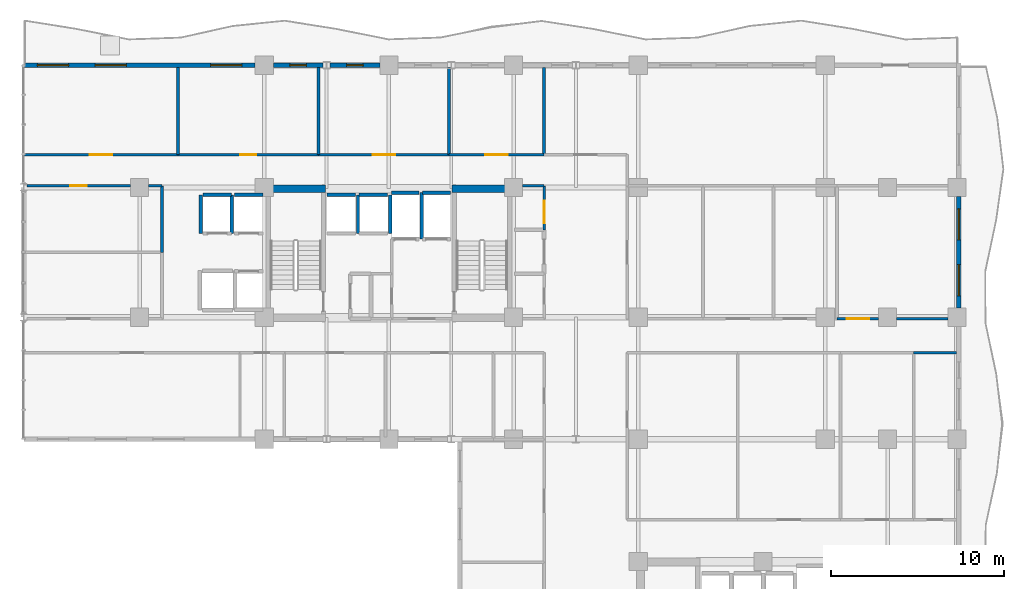
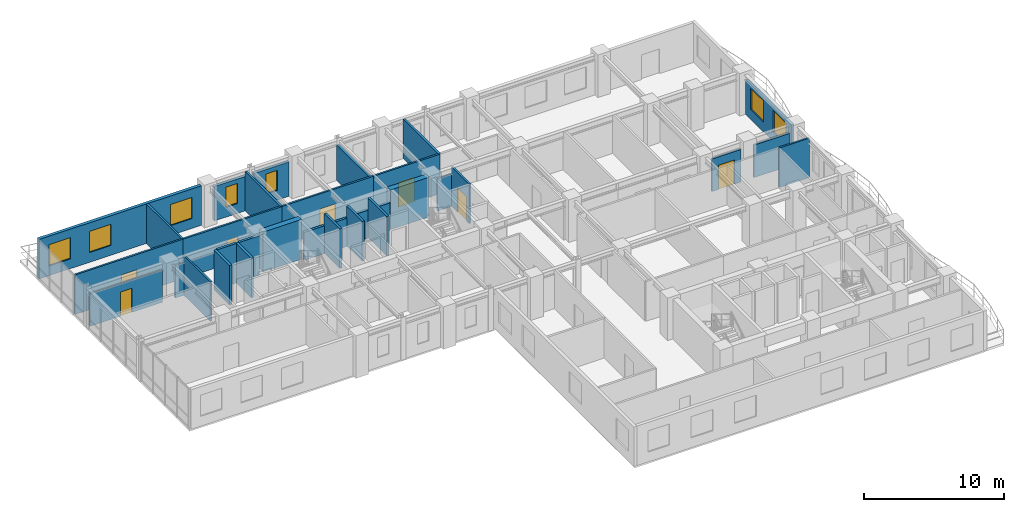
# One storey, part 14 of 19: 33 walls, 7 doors, 7 windows, 14 openings.
"""IFC4 building model written with IfcOpenShell, lengths in metres."""

from ifc_helpers import new_model, si_unit, direction, frame, frame_2d, origin, place, context, subcontext, project, spatial, rectangle, extrude, material, layer, layer_set, type_object, element, fill, save


model = new_model("IFC4")

# Units and contexts
model_context = context("Model", 3, precision=1e-05, world=origin(), true_north=direction((0.0, 1.0)))
body_context = subcontext(model_context, "Body", "Model", "MODEL_VIEW")
ifc_project = project(units=[si_unit("LENGTHUNIT", "METRE"), si_unit("AREAUNIT", "SQUARE_METRE"), si_unit("VOLUMEUNIT", "CUBIC_METRE"), si_unit("PLANEANGLEUNIT", "RADIAN"), si_unit("MASSUNIT", "GRAM", prefix="KILO")], contexts=[model_context])

# Site, building, storey
site_placement = place(None, origin())
site = spatial("IfcSite", under=ifc_project, at=site_placement, CompositionType="ELEMENT")
building_placement = place(site_placement, origin())
building = spatial("IfcBuilding", under=site, at=building_placement, Name="Kaliganga Portal Commons", CompositionType="ELEMENT")
storey_placement = place(building_placement, frame((0.0, 0.0, 140.199951171875)))
storey = spatial("IfcBuildingStorey", under=building, at=storey_placement, Name="L35", CompositionType="ELEMENT", Elevation=140.199951171875)

# Walls
ifc_material_1 = material(Name="Concrete C60/75", Category="concrete")
ifc_layer_1 = layer(ifc_material_1, 0.449951171875)
ifc_layer_set_1 = layer_set([ifc_layer_1], Name="Concrete C60/75")
wall_type_1 = type_object("IfcWallType", Name="WL-CORE-450", PredefinedType="SHEAR", material=ifc_layer_set_1)
for number, where, z_axis, x_axis, name in (
    (1, (14.75, 36.074951171875, 0.0), (0.0, 0.0, 1.0), (1.0, 0.0, 0.0), "Core A N-West Shear Wall L35"),
    (2, (25.25, 36.074951171875, 0.0), (0.0, 0.0, 1.0), (1.0, 0.0, 0.0), "Core A N-East Shear Wall L35"),
):
    element("IfcWall", number, at=place(storey_placement, frame(where, z_axis=z_axis, x_axis=x_axis)), inside=storey, type_object=wall_type_1, Name=name, PredefinedType="SHEAR", context=body_context, shape_type="SweptSolid", body=[
        extrude(rectangle(XDim=3.199951171875, YDim=0.449951171875, at=frame_2d((1.60009765625, 0.0))), origin(), (0.0, 0.0, 1.0), 3.4599609375),
    ])

# Wall, openings, windows
ifc_material_2 = material(Name="Insulated Aluminium-Clad Spandrel Assembly", Category="aluminium")
ifc_layer_2 = layer(ifc_material_2, 0.260009765625)
ifc_layer_set_2 = layer_set([ifc_layer_2], Name="Insulated Aluminium-Clad Spandrel Assembly")
wall_type_2 = type_object("IfcWallType", Name="WL-EXT-SPAND-260", PredefinedType="STANDARD", material=ifc_layer_set_2)
wall_1_placement = place(storey_placement, frame((54.5, 35.6240234375, 0.0), z_axis=(0.0, 0.0, 1.0), x_axis=(0.0, -1.0, 0.0)))
wall_1 = element("IfcWall", 3, at=wall_1_placement, inside=storey, type_object=wall_type_2, Name="Exterior Envelope Wall L35 P1-E01-S5", PredefinedType="STANDARD", context=body_context, shape_type="SweptSolid", body=[
    extrude(rectangle(XDim=6.447998046875, YDim=0.260009765625, at=frame_2d((3.22412109375, 0.0))), origin(), (0.0, 0.0, 1.0), 2.989990234375),
])
opening_1_placement = place(wall_1_placement, frame((0.7119140625, 0.0, 0.85009765625)))
opening_1 = element("IfcOpeningElement", 4, at=opening_1_placement, cuts=wall_1, Name="Opening W-01", PredefinedType="OPENING", context=body_context, shape_type="SweptSolid", body=[
    extrude(rectangle(XDim=1.800048828125, YDim=1.85009765625, at=frame_2d((0.89990234375, 0.925048828125))), frame((0.0, 0.14013671875, 0.0), z_axis=(0.0, -1.0, 0.0), x_axis=(1.0, 0.0, 0.0)), (0.0, 0.0, 1.0), 0.280029296875),
])
opening_2_placement = place(wall_1_placement, frame((3.93603515625, 0.0, 0.85009765625)))
opening_2 = element("IfcOpeningElement", 5, at=opening_2_placement, cuts=wall_1, Name="Opening W-01", PredefinedType="OPENING", context=body_context, shape_type="SweptSolid", body=[
    extrude(rectangle(XDim=1.800048828125, YDim=1.85009765625, at=frame_2d((0.89990234375, 0.925048828125))), frame((0.0, 0.14013671875, 0.0), z_axis=(0.0, -1.0, 0.0), x_axis=(1.0, 0.0, 0.0)), (0.0, 0.0, 1.0), 0.280029296875),
])
ifc_material_3 = material(Name="Thermally Broken Aluminium and Low-E Double Glazing", Category="aluminium")
window_type_1 = type_object("IfcWindowType", Name="WIN-STD-1800", PartitioningType="DOUBLE_PANEL_VERTICAL", PredefinedType="WINDOW", material=ifc_material_3)
window_1_placement = place(opening_1_placement, origin())
window_1 = element("IfcWindow", 6, at=window_1_placement, inside=storey, type_object=window_type_1, Name="Facade Window L35-P1E01S5-00", OverallHeight=1.85009765625, OverallWidth=1.800048828125, PartitioningType="SINGLE_PANEL", PredefinedType="WINDOW", context=body_context, shape_type="SweptSolid", body=[
    extrude(rectangle(XDim=1.800048828125, YDim=1.85009765625, at=frame_2d((0.89990234375, 0.925048828125))), frame((0.0, 0.030029296875, 0.0), z_axis=(0.0, -1.0, 0.0), x_axis=(1.0, 0.0, 0.0)), (0.0, 0.0, 1.0), 0.06005859375),
])
fill(opening_1, window_1)
window_2_placement = place(opening_2_placement, origin())
window_2 = element("IfcWindow", 7, at=window_2_placement, inside=storey, type_object=window_type_1, Name="Facade Window L35-P1E01S5-01", OverallHeight=1.85009765625, OverallWidth=1.800048828125, PartitioningType="SINGLE_PANEL", PredefinedType="WINDOW", context=body_context, shape_type="SweptSolid", body=[
    extrude(rectangle(XDim=1.800048828125, YDim=1.85009765625, at=frame_2d((0.89990234375, 0.925048828125))), frame((0.0, 0.030029296875, 0.0), z_axis=(0.0, -1.0, 0.0), x_axis=(1.0, 0.0, 0.0)), (0.0, 0.0, 1.0), 0.06005859375),
])
fill(opening_2, window_2)

# Wall, opening, window
wall_2_placement = place(storey_placement, frame((18.202880859375, 43.199951171875, 0.0), z_axis=(0.0, 0.0, 1.0), x_axis=(1.0, 0.0, 0.0)))
wall_2 = element("IfcWall", 8, at=wall_2_placement, inside=storey, type_object=wall_type_2, Name="Exterior Envelope Wall L35 P1-E02-S7", PredefinedType="STANDARD", context=body_context, shape_type="SweptSolid", body=[
    extrude(rectangle(XDim=2.87109375, YDim=0.260009765625, at=frame_2d((1.435546875, 0.0))), origin(), (0.0, 0.0, 1.0), 2.989990234375),
])
opening_3_placement = place(wall_2_placement, frame((0.96044921875, 0.0, 0.85009765625)))
opening_3 = element("IfcOpeningElement", 9, at=opening_3_placement, cuts=wall_2, Name="Opening W-04", PredefinedType="OPENING", context=body_context, shape_type="SweptSolid", body=[
    extrude(rectangle(XDim=0.949951171875, YDim=1.75, at=frame_2d((0.47509765625, 0.875))), frame((0.0, 0.14013671875, 0.0), z_axis=(0.0, -1.0, 0.0), x_axis=(1.0, 0.0, 0.0)), (0.0, 0.0, 1.0), 0.280029296875),
])
window_type_2 = type_object("IfcWindowType", Name="WIN-NARROW-950", PartitioningType="SINGLE_PANEL", PredefinedType="WINDOW", material=ifc_material_3)
window_3_placement = place(opening_3_placement, origin())
window_3 = element("IfcWindow", 10, at=window_3_placement, inside=storey, type_object=window_type_2, Name="Facade Window L35-P1E02S7-00", OverallHeight=1.75, OverallWidth=0.949951171875, PartitioningType="SINGLE_PANEL", PredefinedType="WINDOW", context=body_context, shape_type="SweptSolid", body=[
    extrude(rectangle(XDim=0.949951171875, YDim=1.75, at=frame_2d((0.47509765625, 0.875))), frame((0.0, 0.030029296875, 0.0), z_axis=(0.0, -1.0, 0.0), x_axis=(1.0, 0.0, 0.0)), (0.0, 0.0, 1.0), 0.06005859375),
])
fill(opening_3, window_3)

wall_3_placement = place(storey_placement, frame((14.926025390625, 43.199951171875, 0.0), z_axis=(0.0, 0.0, 1.0), x_axis=(1.0, 0.0, 0.0)))
wall_3 = element("IfcWall", 11, at=wall_3_placement, inside=storey, type_object=wall_type_2, Name="Exterior Envelope Wall L35 P1-E02-S8", PredefinedType="STANDARD", context=body_context, shape_type="SweptSolid", body=[
    extrude(rectangle(XDim=2.87109375, YDim=0.260009765625, at=frame_2d((1.435546875, 0.0))), origin(), (0.0, 0.0, 1.0), 2.989990234375),
])
opening_4_placement = place(wall_3_placement, frame((0.96044921875, 0.0, 0.85009765625)))
opening_4 = element("IfcOpeningElement", 12, at=opening_4_placement, cuts=wall_3, Name="Opening W-04", PredefinedType="OPENING", context=body_context, shape_type="SweptSolid", body=[
    extrude(rectangle(XDim=0.949951171875, YDim=1.75, at=frame_2d((0.47509765625, 0.875))), frame((0.0, 0.14013671875, 0.0), z_axis=(0.0, -1.0, 0.0), x_axis=(1.0, 0.0, 0.0)), (0.0, 0.0, 1.0), 0.280029296875),
])
window_4_placement = place(opening_4_placement, origin())
window_4 = element("IfcWindow", 13, at=window_4_placement, inside=storey, type_object=window_type_2, Name="Facade Window L35-P1E02S8-00", OverallHeight=1.75, OverallWidth=0.949951171875, PartitioningType="SINGLE_PANEL", PredefinedType="WINDOW", context=body_context, shape_type="SweptSolid", body=[
    extrude(rectangle(XDim=0.949951171875, YDim=1.75, at=frame_2d((0.47509765625, 0.875))), frame((0.0, 0.030029296875, 0.0), z_axis=(0.0, -1.0, 0.0), x_axis=(1.0, 0.0, 0.0)), (0.0, 0.0, 1.0), 0.06005859375),
])
fill(opening_4, window_4)

# Wall, openings, windows
wall_4_placement = place(storey_placement, frame((0.537109375, 43.199951171875, 0.0), z_axis=(0.0, 0.0, 1.0), x_axis=(1.0, 0.0, 0.0)))
wall_4 = element("IfcWall", 14, at=wall_4_placement, inside=storey, type_object=wall_type_2, Name="Exterior Envelope Wall L35 P1-E02-S9", PredefinedType="STANDARD", context=body_context, shape_type="SweptSolid", body=[
    extrude(rectangle(XDim=13.3369140625, YDim=0.260009765625, at=frame_2d((6.66845703125, 0.0))), origin(), (0.0, 0.0, 1.0), 3.43994140625),
])
opening_5_placement = place(wall_4_placement, frame((0.76708984375, 0.0, 0.85009765625)))
opening_5 = element("IfcOpeningElement", 15, at=opening_5_placement, cuts=wall_4, Name="Opening W-01", PredefinedType="OPENING", context=body_context, shape_type="SweptSolid", body=[
    extrude(rectangle(XDim=1.800048828125, YDim=1.85009765625, at=frame_2d((0.89990234375, 0.925048828125))), frame((0.0, 0.14013671875, 0.0), z_axis=(0.0, -1.0, 0.0), x_axis=(1.0, 0.0, 0.0)), (0.0, 0.0, 1.0), 0.280029296875),
])
opening_6_placement = place(wall_4_placement, frame((4.101318359375, 0.0, 0.85009765625)))
opening_6 = element("IfcOpeningElement", 16, at=opening_6_placement, cuts=wall_4, Name="Opening W-01", PredefinedType="OPENING", context=body_context, shape_type="SweptSolid", body=[
    extrude(rectangle(XDim=1.800048828125, YDim=1.85009765625, at=frame_2d((0.89990234375, 0.925048828125))), frame((0.0, 0.14013671875, 0.0), z_axis=(0.0, -1.0, 0.0), x_axis=(1.0, 0.0, 0.0)), (0.0, 0.0, 1.0), 0.280029296875),
])
opening_7_placement = place(wall_4_placement, frame((10.77001953125, 0.0, 0.85009765625)))
opening_7 = element("IfcOpeningElement", 17, at=opening_7_placement, cuts=wall_4, Name="Opening W-01", PredefinedType="OPENING", context=body_context, shape_type="SweptSolid", body=[
    extrude(rectangle(XDim=1.800048828125, YDim=1.85009765625, at=frame_2d((0.89990234375, 0.925048828125))), frame((0.0, 0.14013671875, 0.0), z_axis=(0.0, -1.0, 0.0), x_axis=(1.0, 0.0, 0.0)), (0.0, 0.0, 1.0), 0.280029296875),
])
window_5_placement = place(opening_5_placement, origin())
window_5 = element("IfcWindow", 18, at=window_5_placement, inside=storey, type_object=window_type_1, Name="Facade Window L35-P1E02S9-00", OverallHeight=1.85009765625, OverallWidth=1.800048828125, PartitioningType="SINGLE_PANEL", PredefinedType="WINDOW", context=body_context, shape_type="SweptSolid", body=[
    extrude(rectangle(XDim=1.800048828125, YDim=1.85009765625, at=frame_2d((0.89990234375, 0.925048828125))), frame((0.0, 0.030029296875, 0.0), z_axis=(0.0, -1.0, 0.0), x_axis=(1.0, 0.0, 0.0)), (0.0, 0.0, 1.0), 0.06005859375),
])
fill(opening_5, window_5)
window_6_placement = place(opening_6_placement, origin())
window_6 = element("IfcWindow", 19, at=window_6_placement, inside=storey, type_object=window_type_1, Name="Facade Window L35-P1E02S9-01", OverallHeight=1.85009765625, OverallWidth=1.800048828125, PartitioningType="SINGLE_PANEL", PredefinedType="WINDOW", context=body_context, shape_type="SweptSolid", body=[
    extrude(rectangle(XDim=1.800048828125, YDim=1.85009765625, at=frame_2d((0.89990234375, 0.925048828125))), frame((0.0, 0.030029296875, 0.0), z_axis=(0.0, -1.0, 0.0), x_axis=(1.0, 0.0, 0.0)), (0.0, 0.0, 1.0), 0.06005859375),
])
fill(opening_6, window_6)
window_7_placement = place(opening_7_placement, origin())
window_7 = element("IfcWindow", 20, at=window_7_placement, inside=storey, type_object=window_type_1, Name="Facade Window L35-P1E02S9-03", OverallHeight=1.85009765625, OverallWidth=1.800048828125, PartitioningType="SINGLE_PANEL", PredefinedType="WINDOW", context=body_context, shape_type="SweptSolid", body=[
    extrude(rectangle(XDim=1.800048828125, YDim=1.85009765625, at=frame_2d((0.89990234375, 0.925048828125))), frame((0.0, 0.030029296875, 0.0), z_axis=(0.0, -1.0, 0.0), x_axis=(1.0, 0.0, 0.0)), (0.0, 0.0, 1.0), 0.06005859375),
])
fill(opening_7, window_7)

# Wall, opening, door
ifc_material_4 = material(Name="Fire-Rated Gypsum Board on Steel Stud", Category="steel")
ifc_layer_3 = layer(ifc_material_4, 0.14990234375)
ifc_layer_set_3 = layer_set([ifc_layer_3], Name="Fire-Rated Gypsum Board on Steel Stud")
wall_type_3 = type_object("IfcWallType", Name="WL-PART-CORR-150", PredefinedType="PARTITIONING", material=ifc_layer_set_3)
wall_5_placement = place(storey_placement, frame((0.52001953125, 38.0400390625, 0.0), z_axis=(0.0, 0.0, 1.0), x_axis=(1.0, 0.0, 0.0)))
wall_5 = element("IfcWall", 21, at=wall_5_placement, inside=storey, type_object=wall_type_3, Name="Interior Partition L35-005", PredefinedType="PARTITIONING", context=body_context, shape_type="SweptSolid", body=[
    extrude(rectangle(XDim=8.89990234375, YDim=0.14990234375, at=frame_2d((4.449951171875, 0.0))), origin(), (0.0, 0.0, 1.0), 3.43994140625),
])
opening_8_placement = place(wall_5_placement, frame((3.800048828125, 0.0, 0.0)))
opening_8 = element("IfcOpeningElement", 22, at=opening_8_placement, cuts=wall_5, Name="Opening RD-03", PredefinedType="OPENING", context=body_context, shape_type="SweptSolid", body=[
    extrude(rectangle(XDim=1.300048828125, YDim=2.1201171875, at=frame_2d((0.64990234375, 1.06005859375))), frame((0.0, 0.0849609375, 0.0), z_axis=(0.0, -1.0, 0.0), x_axis=(1.0, 0.0, 0.0)), (0.0, 0.0, 1.0), 0.169921875),
])
ifc_material_5 = material(Name="Glazed Timber Seminar Vision Door", Category="wood")
door_type_1 = type_object("IfcDoorType", Name="DR-STUDY-1300", OperationType="DOUBLE_DOOR_SINGLE_SWING", PredefinedType="DOOR", material=ifc_material_5)
door_1_placement = place(opening_8_placement, origin())
door_1 = element("IfcDoor", 23, at=door_1_placement, inside=storey, type_object=door_type_1, Name="Interior Door L35-AN01", OperationType="DOUBLE_DOOR_SINGLE_SWING", OverallHeight=2.1201171875, OverallWidth=1.300048828125, PredefinedType="DOOR", context=body_context, shape_type="SweptSolid", body=[
    extrude(rectangle(XDim=1.300048828125, YDim=2.1201171875, at=frame_2d((0.64990234375, 1.06005859375))), frame((0.0, 0.02490234375, 0.0), z_axis=(0.0, -1.0, 0.0), x_axis=(1.0, 0.0, 0.0)), (0.0, 0.0, 1.0), 0.050048828125),
])
fill(opening_8, door_1)

wall_6_placement = place(storey_placement, frame((9.419921875, 38.0400390625, 0.0), z_axis=(0.0, 0.0, 1.0), x_axis=(1.0, 0.0, 0.0)))
wall_6 = element("IfcWall", 24, at=wall_6_placement, inside=storey, type_object=wall_type_3, Name="Interior Partition L35-006", PredefinedType="PARTITIONING", context=body_context, shape_type="SweptSolid", body=[
    extrude(rectangle(XDim=8.1201171875, YDim=0.14990234375, at=frame_2d((4.06005859375, 0.0))), origin(), (0.0, 0.0, 1.0), 3.43994140625),
])
opening_9_placement = place(wall_6_placement, frame((3.610107421875, 0.0, 0.0)))
opening_9 = element("IfcOpeningElement", 25, at=opening_9_placement, cuts=wall_6, Name="Opening RD-01", PredefinedType="OPENING", context=body_context, shape_type="SweptSolid", body=[
    extrude(rectangle(XDim=0.89990234375, YDim=2.080078125, at=frame_2d((0.449951171875, 1.0400390625))), frame((0.0, 0.0849609375, 0.0), z_axis=(0.0, -1.0, 0.0), x_axis=(1.0, 0.0, 0.0)), (0.0, 0.0, 1.0), 0.169921875),
])
ifc_material_6 = material(Name="Engineered Timber Flush Door", Category="wood")
door_type_2 = type_object("IfcDoorType", Name="DR-ROOM-900", OperationType="NOTDEFINED", PredefinedType="DOOR", material=ifc_material_6)
door_2_placement = place(opening_9_placement, origin())
door_2 = element("IfcDoor", 26, at=door_2_placement, inside=storey, type_object=door_type_2, Name="Interior Door L35-AN02", OperationType="SINGLE_SWING_LEFT", OverallHeight=2.080078125, OverallWidth=0.89990234375, PredefinedType="DOOR", context=body_context, shape_type="SweptSolid", body=[
    extrude(rectangle(XDim=0.89990234375, YDim=2.080078125, at=frame_2d((0.449951171875, 1.0400390625))), frame((0.0, 0.02490234375, 0.0), z_axis=(0.0, -1.0, 0.0), x_axis=(1.0, 0.0, 0.0)), (0.0, 0.0, 1.0), 0.050048828125),
])
fill(opening_9, door_2)

wall_7_placement = place(storey_placement, frame((0.701904296875, 36.239990234375, 0.0), z_axis=(0.0, 0.0, 1.0), x_axis=(1.0, 0.0, 0.0)))
wall_7 = element("IfcWall", 27, at=wall_7_placement, inside=storey, type_object=wall_type_3, Name="Interior Partition L35-009", PredefinedType="PARTITIONING", context=body_context, shape_type="SweptSolid", body=[
    extrude(rectangle(XDim=5.97314453125, YDim=0.14990234375, at=frame_2d((2.986572265625, 0.0))), origin(), (0.0, 0.0, 1.0), 2.840087890625),
])
opening_10_placement = place(wall_7_placement, frame((2.511474609375, 0.0, 0.0)))
opening_10 = element("IfcOpeningElement", 28, at=opening_10_placement, cuts=wall_7, Name="Opening UD-01", PredefinedType="OPENING", context=body_context, shape_type="SweptSolid", body=[
    extrude(rectangle(XDim=0.949951171875, YDim=2.10009765625, at=frame_2d((0.47509765625, 1.050048828125))), frame((0.0, 0.0849609375, 0.0), z_axis=(0.0, -1.0, 0.0), x_axis=(1.0, 0.0, 0.0)), (0.0, 0.0, 1.0), 0.169921875),
])
ifc_material_7 = material(Name="Solid-Core Timber Acoustic Fire Door", Category="wood")
door_type_3 = type_object("IfcDoorType", Name="DR-UNIT-950", OperationType="NOTDEFINED", PredefinedType="DOOR", material=ifc_material_7)
door_3_placement = place(opening_10_placement, origin())
door_3 = element("IfcDoor", 29, at=door_3_placement, inside=storey, type_object=door_type_3, Name="Interior Door L35-AW02", OperationType="SINGLE_SWING_LEFT", OverallHeight=2.10009765625, OverallWidth=0.949951171875, PredefinedType="DOOR", context=body_context, shape_type="SweptSolid", body=[
    extrude(rectangle(XDim=0.949951171875, YDim=2.10009765625, at=frame_2d((0.47509765625, 1.050048828125))), frame((0.0, 0.02490234375, 0.0), z_axis=(0.0, -1.0, 0.0), x_axis=(1.0, 0.0, 0.0)), (0.0, 0.0, 1.0), 0.050048828125),
])
fill(opening_10, door_3)

# Wall
wall_8_placement = place(storey_placement, frame((7.72509765625, 36.239990234375, 0.0), z_axis=(0.0, 0.0, 1.0), x_axis=(1.0, 0.0, 0.0)))
element("IfcWall", 30, at=wall_8_placement, inside=storey, type_object=wall_type_3, Name="Interior Partition L35-010", PredefinedType="PARTITIONING", context=body_context, shape_type="SweptSolid", body=[
    extrude(rectangle(XDim=0.77490234375, YDim=0.14990234375, at=frame_2d((0.387451171875, 0.0))), origin(), (0.0, 0.0, 1.0), 2.840087890625),
])

# Wall, opening, door
wall_9_placement = place(storey_placement, frame((17.5400390625, 38.0400390625, 0.0), z_axis=(0.0, 0.0, 1.0), x_axis=(1.0, 0.0, 0.0)))
wall_9 = element("IfcWall", 31, at=wall_9_placement, inside=storey, type_object=wall_type_3, Name="Interior Partition L35-013", PredefinedType="PARTITIONING", context=body_context, shape_type="SweptSolid", body=[
    extrude(rectangle(XDim=7.5400390625, YDim=0.14990234375, at=frame_2d((3.77001953125, 0.0))), origin(), (0.0, 0.0, 1.0), 3.43994140625),
])
opening_11_placement = place(wall_9_placement, frame((3.1201171875, 0.0, 0.0)))
opening_11 = element("IfcOpeningElement", 32, at=opening_11_placement, cuts=wall_9, Name="Opening RD-03", PredefinedType="OPENING", context=body_context, shape_type="SweptSolid", body=[
    extrude(rectangle(XDim=1.300048828125, YDim=2.1201171875, at=frame_2d((0.64990234375, 1.06005859375))), frame((0.0, 0.0849609375, 0.0), z_axis=(0.0, -1.0, 0.0), x_axis=(1.0, 0.0, 0.0)), (0.0, 0.0, 1.0), 0.169921875),
])
door_4_placement = place(opening_11_placement, origin())
door_4 = element("IfcDoor", 33, at=door_4_placement, inside=storey, type_object=door_type_1, Name="Interior Door L35-AN03", OperationType="DOUBLE_DOOR_SINGLE_SWING", OverallHeight=2.1201171875, OverallWidth=1.300048828125, PredefinedType="DOOR", context=body_context, shape_type="SweptSolid", body=[
    extrude(rectangle(XDim=1.300048828125, YDim=2.1201171875, at=frame_2d((0.64990234375, 1.06005859375))), frame((0.0, 0.02490234375, 0.0), z_axis=(0.0, -1.0, 0.0), x_axis=(1.0, 0.0, 0.0)), (0.0, 0.0, 1.0), 0.050048828125),
])
fill(opening_11, door_4)

wall_10_placement = place(storey_placement, frame((47.47998046875, 28.56005859375, 0.0), z_axis=(0.0, 0.0, 1.0), x_axis=(1.0, 0.0, 0.0)))
wall_10 = element("IfcWall", 34, at=wall_10_placement, inside=storey, type_object=wall_type_3, Name="Interior Partition L35-016", PredefinedType="PARTITIONING", context=body_context, shape_type="SweptSolid", body=[
    extrude(rectangle(XDim=2.39501953125, YDim=0.14990234375, at=frame_2d((1.197509765625, 0.0))), origin(), (0.0, 0.0, 1.0), 2.840087890625),
])
opening_12_placement = place(wall_10_placement, frame((0.547607421875, 0.0, 0.0)))
opening_12 = element("IfcOpeningElement", 35, at=opening_12_placement, cuts=wall_10, Name="Opening RD-03", PredefinedType="OPENING", context=body_context, shape_type="SweptSolid", body=[
    extrude(rectangle(XDim=1.300048828125, YDim=2.1201171875, at=frame_2d((0.64990234375, 1.06005859375))), frame((0.0, 0.0849609375, 0.0), z_axis=(0.0, -1.0, 0.0), x_axis=(1.0, 0.0, 0.0)), (0.0, 0.0, 1.0), 0.169921875),
])
door_5_placement = place(opening_12_placement, origin())
door_5 = element("IfcDoor", 36, at=door_5_placement, inside=storey, type_object=door_type_1, Name="Interior Door L35-BK04", OperationType="DOUBLE_DOOR_SINGLE_SWING", OverallHeight=2.1201171875, OverallWidth=1.300048828125, PredefinedType="DOOR", context=body_context, shape_type="SweptSolid", body=[
    extrude(rectangle(XDim=1.300048828125, YDim=2.1201171875, at=frame_2d((0.64990234375, 1.06005859375))), frame((0.0, 0.02490234375, 0.0), z_axis=(0.0, -1.0, 0.0), x_axis=(1.0, 0.0, 0.0)), (0.0, 0.0, 1.0), 0.050048828125),
])
fill(opening_12, door_5)

# Wall
wall_11_placement = place(storey_placement, frame((50.925048828125, 28.56005859375, 0.0), z_axis=(0.0, 0.0, 1.0), x_axis=(1.0, 0.0, 0.0)))
element("IfcWall", 37, at=wall_11_placement, inside=storey, type_object=wall_type_3, Name="Interior Partition L35-017", PredefinedType="PARTITIONING", context=body_context, shape_type="SweptSolid", body=[
    extrude(rectangle(XDim=2.949951171875, YDim=0.14990234375, at=frame_2d((1.47509765625, 0.0))), origin(), (0.0, 0.0, 1.0), 2.840087890625),
])

# Wall, opening, door
wall_12_placement = place(storey_placement, frame((25.080078125, 38.0400390625, 0.0), z_axis=(0.0, 0.0, 1.0), x_axis=(1.0, 0.0, 0.0)))
wall_12 = element("IfcWall", 38, at=wall_12_placement, inside=storey, type_object=wall_type_3, Name="Interior Partition L35-024", PredefinedType="PARTITIONING", context=body_context, shape_type="SweptSolid", body=[
    extrude(rectangle(XDim=5.47998046875, YDim=0.14990234375, at=frame_2d((2.739990234375, 0.0))), origin(), (0.0, 0.0, 1.0), 3.43994140625),
])
opening_13_placement = place(wall_12_placement, frame((2.090087890625, 0.0, 0.0)))
opening_13 = element("IfcOpeningElement", 39, at=opening_13_placement, cuts=wall_12, Name="Opening RD-03", PredefinedType="OPENING", context=body_context, shape_type="SweptSolid", body=[
    extrude(rectangle(XDim=1.300048828125, YDim=2.1201171875, at=frame_2d((0.64990234375, 1.06005859375))), frame((0.0, 0.0849609375, 0.0), z_axis=(0.0, -1.0, 0.0), x_axis=(1.0, 0.0, 0.0)), (0.0, 0.0, 1.0), 0.169921875),
])
door_6_placement = place(opening_13_placement, origin())
door_6 = element("IfcDoor", 40, at=door_6_placement, inside=storey, type_object=door_type_1, Name="Interior Door L35-AN04", OperationType="DOUBLE_DOOR_SINGLE_SWING", OverallHeight=2.1201171875, OverallWidth=1.300048828125, PredefinedType="DOOR", context=body_context, shape_type="SweptSolid", body=[
    extrude(rectangle(XDim=1.300048828125, YDim=2.1201171875, at=frame_2d((0.64990234375, 1.06005859375))), frame((0.0, 0.02490234375, 0.0), z_axis=(0.0, -1.0, 0.0), x_axis=(1.0, 0.0, 0.0)), (0.0, 0.0, 1.0), 0.050048828125),
])
fill(opening_13, door_6)

# Walls
wall_13_placement = place(storey_placement, frame((8.5, 32.39990234375, 0.0), z_axis=(0.0, 0.0, 1.0), x_axis=(0.0, 1.0, 0.0)))
element("IfcWall", 41, at=wall_13_placement, inside=storey, type_object=wall_type_3, Name="Interior Partition L35-032", PredefinedType="PARTITIONING", context=body_context, shape_type="SweptSolid", body=[
    extrude(rectangle(XDim=3.840087890625, YDim=0.14990234375, at=frame_2d((1.919921875, 0.0))), origin(), (0.0, 0.0, 1.0), 3.43994140625),
])
wall_14_placement = place(storey_placement, frame((51.89990234375, 26.60009765625, 0.0), z_axis=(0.0, 0.0, 1.0), x_axis=(1.0, 0.0, 0.0)))
element("IfcWall", 42, at=wall_14_placement, inside=storey, type_object=wall_type_3, Name="Interior Partition L35-037", PredefinedType="PARTITIONING", context=body_context, shape_type="SweptSolid", body=[
    extrude(rectangle(XDim=2.468017578125, YDim=0.14990234375, at=frame_2d((1.23388671875, 0.0))), origin(), (0.0, 0.0, 1.0), 3.43994140625),
])

# Wall, opening, door
wall_15_placement = place(storey_placement, frame((30.56005859375, 33.699951171875, 0.0), z_axis=(0.0, 0.0, 1.0), x_axis=(0.0, 1.0, 0.0)))
wall_15 = element("IfcWall", 43, at=wall_15_placement, inside=storey, type_object=wall_type_3, Name="Interior Partition L35-043", PredefinedType="PARTITIONING", context=body_context, shape_type="SweptSolid", body=[
    extrude(rectangle(XDim=2.5400390625, YDim=0.14990234375, at=frame_2d((1.27001953125, 0.0))), origin(), (0.0, 0.0, 1.0), 3.43994140625),
])
opening_14_placement = place(wall_15_placement, frame((0.365966796875, 0.0, 0.0)))
opening_14 = element("IfcOpeningElement", 44, at=opening_14_placement, cuts=wall_15, Name="Opening RD-03", PredefinedType="OPENING", context=body_context, shape_type="SweptSolid", body=[
    extrude(rectangle(XDim=1.300048828125, YDim=2.1201171875, at=frame_2d((0.64990234375, 1.06005859375))), frame((0.0, 0.0849609375, 0.0), z_axis=(0.0, -1.0, 0.0), x_axis=(1.0, 0.0, 0.0)), (0.0, 0.0, 1.0), 0.169921875),
])
door_7_placement = place(opening_14_placement, origin())
door_7 = element("IfcDoor", 45, at=door_7_placement, inside=storey, type_object=door_type_1, Name="Interior Door L35-CSRV_A2", OperationType="DOUBLE_DOOR_SINGLE_SWING", OverallHeight=2.1201171875, OverallWidth=1.300048828125, PredefinedType="DOOR", context=body_context, shape_type="SweptSolid", body=[
    extrude(rectangle(XDim=1.300048828125, YDim=2.1201171875, at=frame_2d((0.64990234375, 1.06005859375))), frame((0.0, 0.02490234375, 0.0), z_axis=(0.0, -1.0, 0.0), x_axis=(1.0, 0.0, 0.0)), (0.0, 0.0, 1.0), 0.050048828125),
])
fill(opening_14, door_7)

# Walls
wall_16_placement = place(storey_placement, frame((29.324951171875, 36.239990234375, 0.0), z_axis=(0.0, 0.0, 1.0), x_axis=(1.0, 0.0, 0.0)))
element("IfcWall", 46, at=wall_16_placement, inside=storey, type_object=wall_type_3, Name="Interior Partition L35-046", PredefinedType="PARTITIONING", context=body_context, shape_type="SweptSolid", body=[
    extrude(rectangle(XDim=1.235107421875, YDim=0.14990234375, at=frame_2d((0.61767578125, 0.0))), origin(), (0.0, 0.0, 1.0), 2.840087890625),
])
ifc_material_8 = material(Name="Twin-Stud Acoustic Gypsum Partition", Category="gypsum")
ifc_layer_4 = layer(ifc_material_8, 0.1650390625)
ifc_layer_set_4 = layer_set([ifc_layer_4], Name="Twin-Stud Acoustic Gypsum Partition")
wall_type_4 = type_object("IfcWallType", Name="WL-PART-UNIT-165", PredefinedType="PARTITIONING", material=ifc_layer_set_4)
for number, where, z_axis, x_axis, name in (
    (47, (9.419921875, 38.0400390625, 0.0), (0.0, 0.0, 1.0), (0.0, 1.0, 0.0), "Interior Partition L35-059"),
    (48, (17.5400390625, 38.0400390625, 0.0), (0.0, 0.0, 1.0), (0.0, 1.0, 0.0), "Interior Partition L35-060"),
):
    element("IfcWall", number, at=place(storey_placement, frame(where, z_axis=z_axis, x_axis=x_axis)), inside=storey, type_object=wall_type_4, Name=name, PredefinedType="PARTITIONING", context=body_context, shape_type="SweptSolid", body=[
        extrude(rectangle(XDim=5.028076171875, YDim=0.1650390625, at=frame_2d((2.51416015625, 0.0))), origin(), (0.0, 0.0, 1.0), 3.43994140625),
    ])
wall_17_placement = place(storey_placement, frame((25.080078125, 38.0400390625, 0.0), z_axis=(0.0, 0.0, 1.0), x_axis=(0.0, 1.0, 0.0)))
element("IfcWall", 49, at=wall_17_placement, inside=storey, type_object=wall_type_4, Name="Interior Partition L35-061", PredefinedType="PARTITIONING", context=body_context, shape_type="SweptSolid", body=[
    extrude(rectangle(XDim=5.028076171875, YDim=0.1650390625, at=frame_2d((2.51416015625, 0.0))), origin(), (0.0, 0.0, 1.0), 3.110107421875),
])
wall_18_placement = place(storey_placement, frame((30.56005859375, 38.0400390625, 0.0), z_axis=(0.0, 0.0, 1.0), x_axis=(0.0, 1.0, 0.0)))
element("IfcWall", 50, at=wall_18_placement, inside=storey, type_object=wall_type_4, Name="Interior Partition L35-062", PredefinedType="PARTITIONING", context=body_context, shape_type="SweptSolid", body=[
    extrude(rectangle(XDim=5.028076171875, YDim=0.1650390625, at=frame_2d((2.51416015625, 0.0))), origin(), (0.0, 0.0, 1.0), 3.43994140625),
])
ifc_material_9 = material(Name="Fire-Rated Shaftwall Masonry Assembly", Category="masonry")
ifc_layer_5 = layer(ifc_material_9, 0.199951171875)
ifc_layer_set_5 = layer_set([ifc_layer_5], Name="Fire-Rated Shaftwall Masonry Assembly")
wall_type_5 = type_object("IfcWallType", Name="WL-SHAFT-200", PredefinedType="PARTITIONING", material=ifc_layer_set_5)
wall_19_placement = place(storey_placement, frame((18.02490234375, 35.715087890625, 0.0), z_axis=(0.0, 0.0, 1.0), x_axis=(1.0, 0.0, 0.0)))
element("IfcWall", 51, at=wall_19_placement, inside=storey, type_object=wall_type_5, Name="Lift PL-A1 Hoistway Shaft Wall L35-N", PredefinedType="PARTITIONING", context=body_context, shape_type="SweptSolid", body=[
    extrude(rectangle(XDim=1.650146484375, YDim=0.199951171875, at=frame_2d((0.8251953125, 0.0))), origin(), (0.0, 0.0, 1.0), 2.43994140625),
])
wall_20_placement = place(storey_placement, frame((19.81494140625, 33.485107421875, 0.0), z_axis=(0.0, 0.0, 1.0), x_axis=(0.0, 1.0, 0.0)))
element("IfcWall", 52, at=wall_20_placement, inside=storey, type_object=wall_type_5, Name="Lift PL-A1 Hoistway Shaft Wall L35-E", PredefinedType="PARTITIONING", context=body_context, shape_type="SweptSolid", body=[
    extrude(rectangle(XDim=2.22998046875, YDim=0.199951171875, at=frame_2d((1.114990234375, 0.0))), origin(), (0.0, 0.0, 1.0), 3.43994140625),
])
wall_21_placement = place(storey_placement, frame((19.875, 35.715087890625, 0.0), z_axis=(0.0, 0.0, 1.0), x_axis=(1.0, 0.0, 0.0)))
element("IfcWall", 53, at=wall_21_placement, inside=storey, type_object=wall_type_5, Name="Lift PL-A2 Hoistway Shaft Wall L35-N", PredefinedType="PARTITIONING", context=body_context, shape_type="SweptSolid", body=[
    extrude(rectangle(XDim=1.64990234375, YDim=0.199951171875, at=frame_2d((0.824951171875, 0.0))), origin(), (0.0, 0.0, 1.0), 2.43994140625),
])
wall_22_placement = place(storey_placement, frame((21.6650390625, 33.485107421875, 0.0), z_axis=(0.0, 0.0, 1.0), x_axis=(0.0, 1.0, 0.0)))
element("IfcWall", 54, at=wall_22_placement, inside=storey, type_object=wall_type_5, Name="Lift PL-A2 Hoistway Shaft Wall L35-E", PredefinedType="PARTITIONING", context=body_context, shape_type="SweptSolid", body=[
    extrude(rectangle(XDim=2.22998046875, YDim=0.199951171875, at=frame_2d((1.114990234375, 0.0))), origin(), (0.0, 0.0, 1.0), 3.43994140625),
])
wall_23_placement = place(storey_placement, frame((12.675048828125, 35.715087890625, 0.0), z_axis=(0.0, 0.0, 1.0), x_axis=(1.0, 0.0, 0.0)))
element("IfcWall", 55, at=wall_23_placement, inside=storey, type_object=wall_type_5, Name="Lift PL-A3 Hoistway Shaft Wall L35-N", PredefinedType="PARTITIONING", context=body_context, shape_type="SweptSolid", body=[
    extrude(rectangle(XDim=1.64990234375, YDim=0.199951171875, at=frame_2d((0.824951171875, 0.0))), origin(), (0.0, 0.0, 1.0), 3.43994140625),
])
wall_24_placement = place(storey_placement, frame((12.534912109375, 33.485107421875, 0.0), z_axis=(0.0, 0.0, 1.0), x_axis=(0.0, 1.0, 0.0)))
element("IfcWall", 56, at=wall_24_placement, inside=storey, type_object=wall_type_5, Name="Lift PL-A3 Hoistway Shaft Wall L35-W", PredefinedType="PARTITIONING", context=body_context, shape_type="SweptSolid", body=[
    extrude(rectangle(XDim=2.22998046875, YDim=0.199951171875, at=frame_2d((1.114990234375, 0.0))), origin(), (0.0, 0.0, 1.0), 3.43994140625),
])
wall_25_placement = place(storey_placement, frame((10.875, 35.715087890625, 0.0), z_axis=(0.0, 0.0, 1.0), x_axis=(1.0, 0.0, 0.0)))
element("IfcWall", 57, at=wall_25_placement, inside=storey, type_object=wall_type_5, Name="Lift PL-OBS Hoistway Shaft Wall L35-N", PredefinedType="PARTITIONING", context=body_context, shape_type="SweptSolid", body=[
    extrude(rectangle(XDim=1.64990234375, YDim=0.199951171875, at=frame_2d((0.824951171875, 0.0))), origin(), (0.0, 0.0, 1.0), 3.43994140625),
])
wall_26_placement = place(storey_placement, frame((10.735107421875, 33.485107421875, 0.0), z_axis=(0.0, 0.0, 1.0), x_axis=(0.0, 1.0, 0.0)))
element("IfcWall", 58, at=wall_26_placement, inside=storey, type_object=wall_type_5, Name="Lift PL-OBS Hoistway Shaft Wall L35-W", PredefinedType="PARTITIONING", context=body_context, shape_type="SweptSolid", body=[
    extrude(rectangle(XDim=2.22998046875, YDim=0.199951171875, at=frame_2d((1.114990234375, 0.0))), origin(), (0.0, 0.0, 1.0), 3.43994140625),
])
wall_27_placement = place(storey_placement, frame((21.75, 35.840087890625, 0.0), z_axis=(0.0, 0.0, 1.0), x_axis=(1.0, 0.0, 0.0)))
element("IfcWall", 59, at=wall_27_placement, inside=storey, type_object=wall_type_5, Name="Lift FFL-1 Hoistway Shaft Wall L35-N", PredefinedType="PARTITIONING", context=body_context, shape_type="SweptSolid", body=[
    extrude(rectangle(XDim=1.60009765625, YDim=0.199951171875, at=frame_2d((0.800048828125, 0.0))), origin(), (0.0, 0.0, 1.0), 2.43994140625),
])
wall_28_placement = place(storey_placement, frame((23.489990234375, 33.159912109375, 0.0), z_axis=(0.0, 0.0, 1.0), x_axis=(0.0, 1.0, 0.0)))
element("IfcWall", 60, at=wall_28_placement, inside=storey, type_object=wall_type_5, Name="Lift FFL-1 Hoistway Shaft Wall L35-E", PredefinedType="PARTITIONING", context=body_context, shape_type="SweptSolid", body=[
    extrude(rectangle(XDim=2.68017578125, YDim=0.199951171875, at=frame_2d((1.340087890625, 0.0))), origin(), (0.0, 0.0, 1.0), 3.43994140625),
])
wall_29_placement = place(storey_placement, frame((23.550048828125, 35.840087890625, 0.0), z_axis=(0.0, 0.0, 1.0), x_axis=(1.0, 0.0, 0.0)))
element("IfcWall", 61, at=wall_29_placement, inside=storey, type_object=wall_type_5, Name="Lift FFL-2 Hoistway Shaft Wall L35-N", PredefinedType="PARTITIONING", context=body_context, shape_type="SweptSolid", body=[
    extrude(rectangle(XDim=1.599853515625, YDim=0.199951171875, at=frame_2d((0.7998046875, 0.0))), origin(), (0.0, 0.0, 1.0), 2.43994140625),
])

save(model, "model.ifc")
